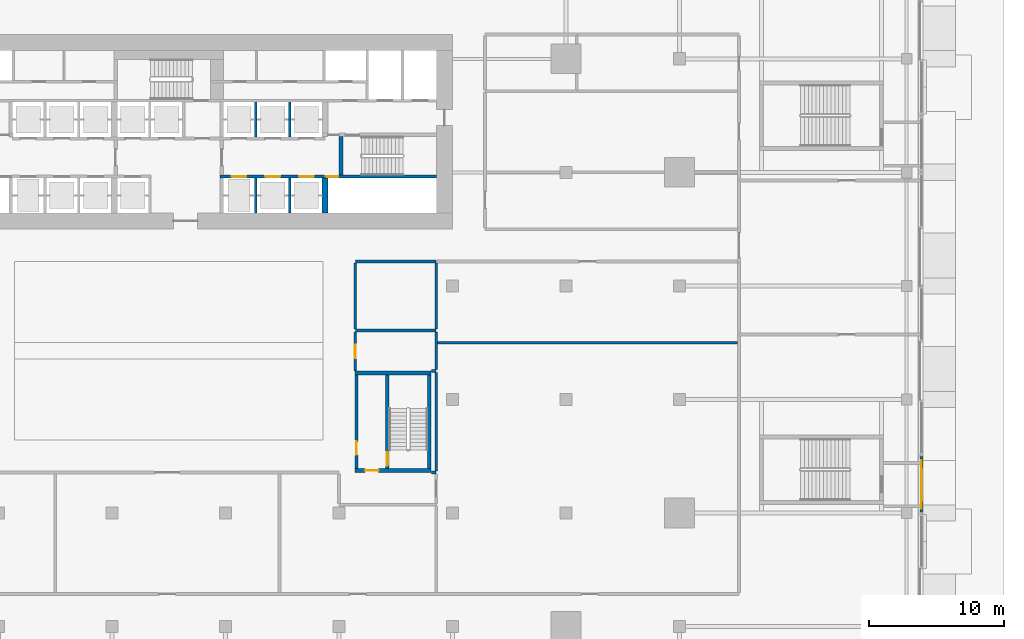
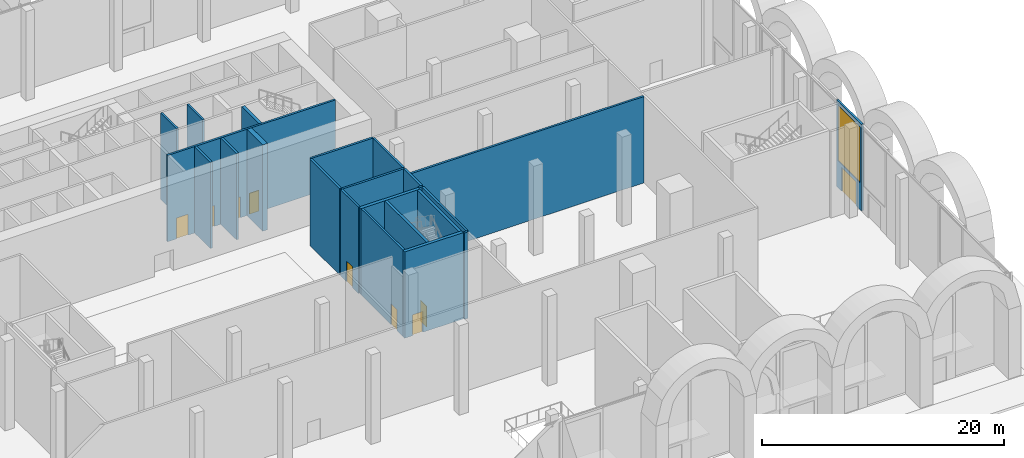
# One storey, part 25 of 43: 23 walls, 9 doors, 1 window, 10 openings.
"""IFC4 building model written with IfcOpenShell, lengths in metres."""

from ifc_helpers import new_model, si_unit, direction, frame, frame_2d, origin, place, context, subcontext, project, spatial, rectangle, extrude, material, layer, layer_set, type_object, element, fill, save


model = new_model("IFC4")

# Units and contexts
model_context = context("Model", 3, precision=1e-05, world=origin(), true_north=direction((0.0, 1.0)))
body_context = subcontext(model_context, "Body", "Model", "MODEL_VIEW")
ifc_project = project(units=[si_unit("LENGTHUNIT", "METRE"), si_unit("AREAUNIT", "SQUARE_METRE"), si_unit("VOLUMEUNIT", "CUBIC_METRE"), si_unit("PLANEANGLEUNIT", "RADIAN"), si_unit("MASSUNIT", "GRAM", prefix="KILO")], contexts=[model_context])

# Site, building, storey
site_placement = place(None, origin())
site = spatial("IfcSite", under=ifc_project, at=site_placement, CompositionType="ELEMENT")
building_placement = place(site_placement, origin())
building = spatial("IfcBuilding", under=site, at=building_placement, Name="Saffron Gate Tower", CompositionType="ELEMENT")
storey_placement = place(building_placement, origin())
storey = spatial("IfcBuildingStorey", under=building, at=storey_placement, Name="L00", CompositionType="ELEMENT", Elevation=0.0)

# Wall, opening, door
ifc_material_1 = material(Name="Gypsum board partition on steel studs", Category="steel")
ifc_layer_1 = layer(ifc_material_1, 0.199951171875)
ifc_layer_set_1 = layer_set([ifc_layer_1], Name="CW10 Core partition 200")
wall_type_1 = type_object("IfcWallType", Name="CW10 Core partition 200", PredefinedType="PARTITIONING", material=ifc_layer_set_1)
wall_1_placement = place(storey_placement, frame((101.5, 43.5, 0.0), z_axis=(0.0, 0.0, 1.0), x_axis=(0.0, 1.0, 0.0)))
wall_1 = element("IfcWall", 1, at=wall_1_placement, inside=storey, type_object=wall_type_1, Name="Wall CW10-L00-E-2", PredefinedType="PARTITIONING", context=body_context, shape_type="SweptSolid", body=[
    extrude(rectangle(XDim=6.89990234375, YDim=0.199951171875, at=frame_2d((3.449951171875, 0.0))), origin(), (0.0, 0.0, 1.0), 8.699951171875),
])
opening_1_placement = place(wall_1_placement, frame((1.0, 0.0, 0.0)))
opening_1 = element("IfcOpeningElement", 2, at=opening_1_placement, cuts=wall_1, Name="Opening CR-22", PredefinedType="OPENING", context=body_context, shape_type="SweptSolid", body=[
    extrude(rectangle(XDim=1.0, YDim=2.10009765625, at=frame_2d((0.5, 1.050048828125))), frame((0.0, 0.10986328125, 0.0), z_axis=(0.0, -1.0, 0.0), x_axis=(1.0, 0.0, 0.0)), (0.0, 0.0, 1.0), 0.219970703125),
])
ifc_material_2 = material(Name="Steel fire door set", Category="steel")
door_type_1 = type_object("IfcDoorType", Name="CD4 Lobby door 1000x2100 EI 120", OperationType="NOTDEFINED", PredefinedType="DOOR", material=ifc_material_2)
door_1_placement = place(opening_1_placement, origin())
door_1 = element("IfcDoor", 3, at=door_1_placement, inside=storey, type_object=door_type_1, Name="DOOR CR-22", OperationType="SINGLE_SWING_LEFT", OverallHeight=2.10009765625, OverallWidth=1.0, PredefinedType="DOOR", context=body_context, shape_type="SweptSolid", body=[
    extrude(rectangle(XDim=1.0, YDim=2.10009765625, at=frame_2d((0.5, 1.050048828125))), frame((0.0, 0.02490234375, 0.0), z_axis=(0.0, -1.0, 0.0), x_axis=(1.0, 0.0, 0.0)), (0.0, 0.0, 1.0), 0.050048828125),
])
fill(opening_1, door_1)

ifc_material_3 = material(Name="Concrete C70", Category="concrete")
ifc_layer_2 = layer(ifc_material_3, 0.25)
ifc_layer_set_2 = layer_set([ifc_layer_2], Name="CW2 RC core wall 250 C70")
wall_type_2 = type_object("IfcWallType", Name="CW2 RC core wall 250 C70", PredefinedType="SOLIDWALL", material=ifc_layer_set_2)
wall_2_placement = place(storey_placement, frame((103.77490234375, 43.5, 0.0), z_axis=(0.0, 0.0, 1.0), x_axis=(0.0, 1.0, 0.0)))
wall_2 = element("IfcWall", 4, at=wall_2_placement, inside=storey, type_object=wall_type_2, Name="Wall CW2-L00-E-3", PredefinedType="SOLIDWALL", context=body_context, shape_type="SweptSolid", body=[
    extrude(rectangle(XDim=6.89990234375, YDim=0.25, at=frame_2d((3.449951171875, 0.0))), origin(), (0.0, 0.0, 1.0), 8.699951171875),
])
opening_2_placement = place(wall_2_placement, frame((0.199951171875, 0.0, 0.0)))
opening_2 = element("IfcOpeningElement", 5, at=opening_2_placement, cuts=wall_2, Name="Opening CR-23", PredefinedType="OPENING", context=body_context, shape_type="SweptSolid", body=[
    extrude(rectangle(XDim=1.0, YDim=2.10009765625, at=frame_2d((0.5, 1.050048828125))), frame((0.0, 0.135009765625, 0.0), z_axis=(0.0, -1.0, 0.0), x_axis=(1.0, 0.0, 0.0)), (0.0, 0.0, 1.0), 0.27001953125),
])
door_type_2 = type_object("IfcDoorType", Name="CD5 Stair door 1000x2100 EI 120", OperationType="NOTDEFINED", PredefinedType="DOOR", material=ifc_material_2)
door_2_placement = place(opening_2_placement, origin())
door_2 = element("IfcDoor", 6, at=door_2_placement, inside=storey, type_object=door_type_2, Name="DOOR CR-23", OperationType="SINGLE_SWING_RIGHT", OverallHeight=2.10009765625, OverallWidth=1.0, PredefinedType="DOOR", context=body_context, shape_type="SweptSolid", body=[
    extrude(rectangle(XDim=1.0, YDim=2.10009765625, at=frame_2d((0.5, 1.050048828125))), frame((0.0, 0.02490234375, 0.0), z_axis=(0.0, -1.0, 0.0), x_axis=(1.0, 0.0, 0.0)), (0.0, 0.0, 1.0), 0.050048828125),
])
fill(opening_2, door_2)

# Walls
wall_3_placement = place(storey_placement, frame((106.875, 43.5, 0.0), z_axis=(0.0, 0.0, 1.0), x_axis=(0.0, 1.0, 0.0)))
element("IfcWall", 7, at=wall_3_placement, inside=storey, type_object=wall_type_2, Name="Wall CW2-L00-E-4", PredefinedType="SOLIDWALL", context=body_context, shape_type="SweptSolid", body=[
    extrude(rectangle(XDim=6.89990234375, YDim=0.25, at=frame_2d((3.449951171875, 0.0))), origin(), (0.0, 0.0, 1.0), 8.699951171875),
])
ifc_layer_3 = layer(ifc_material_3, 0.199951171875)
ifc_layer_set_3 = layer_set([ifc_layer_3], Name="CW3 RC core wall 200 C70")
wall_type_3 = type_object("IfcWallType", Name="CW3 RC core wall 200 C70", PredefinedType="SOLIDWALL", material=ifc_layer_set_3)
for number, where, z_axis, x_axis, name in (
    (8, (94.050048828125, 62.39990234375, 0.0), (0.0, 0.0, 1.0), (0.0, 1.0, 0.0), "Wall CW3-L00-11"),
    (9, (96.550048828125, 62.39990234375, 0.0), (0.0, 0.0, 1.0), (0.0, 1.0, 0.0), "Wall CW3-L00-12"),
):
    element("IfcWall", number, at=place(storey_placement, frame(where, z_axis=z_axis, x_axis=x_axis)), inside=storey, type_object=wall_type_3, Name=name, PredefinedType="SOLIDWALL", context=body_context, shape_type="SweptSolid", body=[
        extrude(rectangle(XDim=2.60009765625, YDim=0.199951171875, at=frame_2d((1.300048828125, 0.0))), origin(), (0.0, 0.0, 1.0), 8.699951171875),
    ])

# Wall, openings, doors
wall_4_placement = place(storey_placement, frame((91.39990234375, 65.10009765625, 0.0), z_axis=(0.0, 0.0, 1.0), x_axis=(1.0, 0.0, 0.0)))
wall_4 = element("IfcWall", 10, at=wall_4_placement, inside=storey, type_object=wall_type_3, Name="Wall CW3-L00-15", PredefinedType="SOLIDWALL", context=body_context, shape_type="SweptSolid", body=[
    extrude(rectangle(XDim=16.0, YDim=0.199951171875, at=frame_2d((8.0, 0.0))), origin(), (0.0, 0.0, 1.0), 8.699951171875),
])
opening_3_placement = place(wall_4_placement, frame((0.85009765625, 0.0, 0.0)))
opening_3 = element("IfcOpeningElement", 11, at=opening_3_placement, cuts=wall_4, Name="Opening LD-HR1", PredefinedType="OPENING", context=body_context, shape_type="SweptSolid", body=[
    extrude(rectangle(XDim=1.10009765625, YDim=2.10009765625, at=frame_2d((0.550048828125, 1.050048828125))), frame((0.0, 0.10986328125, 0.0), z_axis=(0.0, -1.0, 0.0), x_axis=(1.0, 0.0, 0.0)), (0.0, 0.0, 1.0), 0.219970703125),
])
opening_4_placement = place(wall_4_placement, frame((3.35009765625, 0.0, 0.0)))
opening_4 = element("IfcOpeningElement", 12, at=opening_4_placement, cuts=wall_4, Name="Opening LD-HR2", PredefinedType="OPENING", context=body_context, shape_type="SweptSolid", body=[
    extrude(rectangle(XDim=1.10009765625, YDim=2.10009765625, at=frame_2d((0.550048828125, 1.050048828125))), frame((0.0, 0.10986328125, 0.0), z_axis=(0.0, -1.0, 0.0), x_axis=(1.0, 0.0, 0.0)), (0.0, 0.0, 1.0), 0.219970703125),
])
opening_5_placement = place(wall_4_placement, frame((5.85009765625, 0.0, 0.0)))
opening_5 = element("IfcOpeningElement", 13, at=opening_5_placement, cuts=wall_4, Name="Opening LD-HR3", PredefinedType="OPENING", context=body_context, shape_type="SweptSolid", body=[
    extrude(rectangle(XDim=1.10009765625, YDim=2.10009765625, at=frame_2d((0.550048828125, 1.050048828125))), frame((0.0, 0.10986328125, 0.0), z_axis=(0.0, -1.0, 0.0), x_axis=(1.0, 0.0, 0.0)), (0.0, 0.0, 1.0), 0.219970703125),
])
opening_6_placement = place(wall_4_placement, frame((7.830078125, 0.0, 0.0)))
opening_6 = element("IfcOpeningElement", 14, at=opening_6_placement, cuts=wall_4, Name="Opening CR-48", PredefinedType="OPENING", context=body_context, shape_type="SweptSolid", body=[
    extrude(rectangle(XDim=0.89990234375, YDim=2.10009765625, at=frame_2d((0.449951171875, 1.050048828125))), frame((0.0, 0.10986328125, 0.0), z_axis=(0.0, -1.0, 0.0), x_axis=(1.0, 0.0, 0.0)), (0.0, 0.0, 1.0), 0.219970703125),
])
door_type_3 = type_object("IfcDoorType", Name="CD2 Riser door 900x2100 EI 60", OperationType="NOTDEFINED", PredefinedType="DOOR", material=ifc_material_2)
door_3_placement = place(opening_6_placement, origin())
door_3 = element("IfcDoor", 15, at=door_3_placement, inside=storey, type_object=door_type_3, Name="DOOR CR-48", OperationType="SINGLE_SWING_RIGHT", OverallHeight=2.10009765625, OverallWidth=0.89990234375, PredefinedType="DOOR", context=body_context, shape_type="SweptSolid", body=[
    extrude(rectangle(XDim=0.89990234375, YDim=2.10009765625, at=frame_2d((0.449951171875, 1.050048828125))), frame((0.0, 0.02490234375, 0.0), z_axis=(0.0, -1.0, 0.0), x_axis=(1.0, 0.0, 0.0)), (0.0, 0.0, 1.0), 0.050048828125),
])
fill(opening_6, door_3)
ifc_material_4 = material(Name="Stainless steel landing door", Category="steel")
door_type_4 = type_object("IfcDoorType", Name="LD Lift landing door 1100x2100 EI 120", OperationType="SLIDING_TO_LEFT", PredefinedType="DOOR", material=ifc_material_4)
door_4_placement = place(opening_3_placement, origin())
door_4 = element("IfcDoor", 16, at=door_4_placement, inside=storey, type_object=door_type_4, Name="LANDING DOOR LD-HR1", OperationType="SLIDING_TO_LEFT", OverallHeight=2.10009765625, OverallWidth=1.10009765625, PredefinedType="DOOR", context=body_context, shape_type="SweptSolid", body=[
    extrude(rectangle(XDim=1.10009765625, YDim=2.10009765625, at=frame_2d((0.550048828125, 1.050048828125))), frame((0.0, 0.02490234375, 0.0), z_axis=(0.0, -1.0, 0.0), x_axis=(1.0, 0.0, 0.0)), (0.0, 0.0, 1.0), 0.050048828125),
])
fill(opening_3, door_4)
door_5_placement = place(opening_4_placement, origin())
door_5 = element("IfcDoor", 17, at=door_5_placement, inside=storey, type_object=door_type_4, Name="LANDING DOOR LD-HR2", OperationType="SLIDING_TO_LEFT", OverallHeight=2.10009765625, OverallWidth=1.10009765625, PredefinedType="DOOR", context=body_context, shape_type="SweptSolid", body=[
    extrude(rectangle(XDim=1.10009765625, YDim=2.10009765625, at=frame_2d((0.550048828125, 1.050048828125))), frame((0.0, 0.02490234375, 0.0), z_axis=(0.0, -1.0, 0.0), x_axis=(1.0, 0.0, 0.0)), (0.0, 0.0, 1.0), 0.050048828125),
])
fill(opening_4, door_5)
door_6_placement = place(opening_5_placement, origin())
door_6 = element("IfcDoor", 18, at=door_6_placement, inside=storey, type_object=door_type_4, Name="LANDING DOOR LD-HR3", OperationType="SLIDING_TO_LEFT", OverallHeight=2.10009765625, OverallWidth=1.10009765625, PredefinedType="DOOR", context=body_context, shape_type="SweptSolid", body=[
    extrude(rectangle(XDim=1.10009765625, YDim=2.10009765625, at=frame_2d((0.550048828125, 1.050048828125))), frame((0.0, 0.02490234375, 0.0), z_axis=(0.0, -1.0, 0.0), x_axis=(1.0, 0.0, 0.0)), (0.0, 0.0, 1.0), 0.050048828125),
])
fill(opening_5, door_6)

# Walls
for number, where, z_axis, x_axis, name in (
    (19, (94.050048828125, 68.0, 0.0), (0.0, 0.0, 1.0), (0.0, 1.0, 0.0), "Wall CW3-L00-27"),
    (20, (96.550048828125, 68.0, 0.0), (0.0, 0.0, 1.0), (0.0, 1.0, 0.0), "Wall CW3-L00-28"),
):
    element("IfcWall", number, at=place(storey_placement, frame(where, z_axis=z_axis, x_axis=x_axis)), inside=storey, type_object=wall_type_3, Name=name, PredefinedType="SOLIDWALL", context=body_context, shape_type="SweptSolid", body=[
        extrude(rectangle(XDim=2.60009765625, YDim=0.199951171875, at=frame_2d((1.300048828125, 0.0))), origin(), (0.0, 0.0, 1.0), 8.699951171875),
    ])
ifc_layer_4 = layer(ifc_material_3, 0.449951171875)
ifc_layer_set_4 = layer_set([ifc_layer_4], Name="CW4 RC core wall 450 C70")
wall_type_4 = type_object("IfcWallType", Name="CW4 RC core wall 450 C70", PredefinedType="SOLIDWALL", material=ifc_layer_set_4)
wall_5_placement = place(storey_placement, frame((99.175048828125, 62.39990234375, 0.0), z_axis=(0.0, 0.0, 1.0), x_axis=(0.0, 1.0, 0.0)))
element("IfcWall", 21, at=wall_5_placement, inside=storey, type_object=wall_type_4, Name="Wall CW4-L00-13", PredefinedType="SOLIDWALL", context=body_context, shape_type="SweptSolid", body=[
    extrude(rectangle(XDim=2.60009765625, YDim=0.449951171875, at=frame_2d((1.300048828125, 0.0))), origin(), (0.0, 0.0, 1.0), 8.699951171875),
])
ifc_layer_5 = layer(ifc_material_3, 0.300048828125)
ifc_layer_set_5 = layer_set([ifc_layer_5], Name="CW5 RC core wall 300 C70")
wall_type_5 = type_object("IfcWallType", Name="CW5 RC core wall 300 C70", PredefinedType="SOLIDWALL", material=ifc_layer_set_5)
wall_6_placement = place(storey_placement, frame((100.35009765625, 65.199951171875, 0.0), z_axis=(0.0, 0.0, 1.0), x_axis=(0.0, 1.0, 0.0)))
element("IfcWall", 22, at=wall_6_placement, inside=storey, type_object=wall_type_5, Name="Wall CW5-L00-19", PredefinedType="SOLIDWALL", context=body_context, shape_type="SweptSolid", body=[
    extrude(rectangle(XDim=2.85009765625, YDim=0.300048828125, at=frame_2d((1.425048828125, 0.0))), origin(), (0.0, 0.0, 1.0), 8.699951171875),
])

# Wall, opening, door
wall_7_placement = place(storey_placement, frame((101.39990234375, 43.35009765625, 0.0), z_axis=(0.0, 0.0, 1.0), x_axis=(1.0, 0.0, 0.0)))
wall_7 = element("IfcWall", 23, at=wall_7_placement, inside=storey, type_object=wall_type_5, Name="Wall CW5-L00-E-1", PredefinedType="SOLIDWALL", context=body_context, shape_type="SweptSolid", body=[
    extrude(rectangle(XDim=5.60009765625, YDim=0.300048828125, at=frame_2d((2.800048828125, 0.0))), origin(), (0.0, 0.0, 1.0), 8.699951171875),
])
opening_7_placement = place(wall_7_placement, frame((0.72509765625, 0.0, 0.0)))
opening_7 = element("IfcOpeningElement", 24, at=opening_7_placement, cuts=wall_7, Name="Opening CR-21", PredefinedType="OPENING", context=body_context, shape_type="SweptSolid", body=[
    extrude(rectangle(XDim=1.0, YDim=2.10009765625, at=frame_2d((0.5, 1.050048828125))), frame((0.0, 0.16015625, 0.0), z_axis=(0.0, -1.0, 0.0), x_axis=(1.0, 0.0, 0.0)), (0.0, 0.0, 1.0), 0.320068359375),
])
door_7_placement = place(opening_7_placement, origin())
door_7 = element("IfcDoor", 25, at=door_7_placement, inside=storey, type_object=door_type_1, Name="DOOR CR-21", OperationType="SINGLE_SWING_RIGHT", OverallHeight=2.10009765625, OverallWidth=1.0, PredefinedType="DOOR", context=body_context, shape_type="SweptSolid", body=[
    extrude(rectangle(XDim=1.0, YDim=2.10009765625, at=frame_2d((0.5, 1.050048828125))), frame((0.0, 0.02490234375, 0.0), z_axis=(0.0, -1.0, 0.0), x_axis=(1.0, 0.0, 0.0)), (0.0, 0.0, 1.0), 0.050048828125),
])
fill(opening_7, door_7)

# Wall
wall_8_placement = place(storey_placement, frame((101.39990234375, 50.550048828125, 0.0), z_axis=(0.0, 0.0, 1.0), x_axis=(1.0, 0.0, 0.0)))
element("IfcWall", 26, at=wall_8_placement, inside=storey, type_object=wall_type_5, Name="Wall CW5-L00-E-5", PredefinedType="SOLIDWALL", context=body_context, shape_type="SweptSolid", body=[
    extrude(rectangle(XDim=5.60009765625, YDim=0.300048828125, at=frame_2d((2.800048828125, 0.0))), origin(), (0.0, 0.0, 1.0), 8.699951171875),
])

# Wall, opening, door
ifc_material_5 = material(Name="Clay brick masonry, rendered", Category="masonry")
ifc_layer_6 = layer(ifc_material_5, 0.199951171875)
ifc_layer_set_6 = layer_set([ifc_layer_6], Name="PW3 Corridor wall 200")
wall_type_6 = type_object("IfcWallType", Name="PW3 Corridor wall 200", PredefinedType="PARTITIONING", material=ifc_layer_set_6)
wall_9_placement = place(storey_placement, frame((101.39990234375, 53.60009765625, 0.0), z_axis=(0.0, 0.0, 1.0), x_axis=(0.0, -1.0, 0.0)))
wall_9 = element("IfcWall", 27, at=wall_9_placement, inside=storey, type_object=wall_type_6, Name="Wall P0-46", PredefinedType="PARTITIONING", context=body_context, shape_type="SweptSolid", body=[
    extrude(rectangle(XDim=2.900146484375, YDim=0.199951171875, at=frame_2d((1.4501953125, 0.0))), origin(), (0.0, 0.0, 1.0), 8.699951171875),
])
opening_8_placement = place(wall_9_placement, frame((0.949951171875, 0.0, 0.0)))
opening_8 = element("IfcOpeningElement", 28, at=opening_8_placement, cuts=wall_9, Name="Opening P0-3", PredefinedType="OPENING", context=body_context, shape_type="SweptSolid", body=[
    extrude(rectangle(XDim=1.0, YDim=2.10009765625, at=frame_2d((0.5, 1.050048828125))), frame((0.0, 0.10986328125, 0.0), z_axis=(0.0, -1.0, 0.0), x_axis=(1.0, 0.0, 0.0)), (0.0, 0.0, 1.0), 0.219970703125),
])
ifc_material_6 = material(Name="Timber door set", Category="wood")
door_type_5 = type_object("IfcDoorType", Name="RD1 Room door 900x2100", OperationType="NOTDEFINED", PredefinedType="DOOR", material=ifc_material_6)
door_8_placement = place(opening_8_placement, origin())
door_8 = element("IfcDoor", 29, at=door_8_placement, inside=storey, type_object=door_type_5, Name="Door P0-3", OperationType="SINGLE_SWING_RIGHT", OverallHeight=2.10009765625, OverallWidth=1.0, PredefinedType="DOOR", context=body_context, shape_type="SweptSolid", body=[
    extrude(rectangle(XDim=1.0, YDim=2.10009765625, at=frame_2d((0.5, 1.050048828125))), frame((0.0, 0.02490234375, 0.0), z_axis=(0.0, -1.0, 0.0), x_axis=(1.0, 0.0, 0.0)), (0.0, 0.0, 1.0), 0.050048828125),
])
fill(opening_8, door_8)

# Walls
ifc_layer_7 = layer(ifc_material_5, 0.199951171875)
ifc_layer_set_7 = layer_set([ifc_layer_7], Name="PW5 Room wall 200")
wall_type_7 = type_object("IfcWallType", Name="PW5 Room wall 200", PredefinedType="PARTITIONING", material=ifc_layer_set_7)
for number, where, z_axis, x_axis, name in (
    (30, (107.050048828125, 43.199951171875, 0.0), (0.0, 0.0, 1.0), (1.0, 0.0, 0.0), "Wall P0-6"),
    (31, (107.050048828125, 50.699951171875, 0.0), (0.0, 0.0, 1.0), (1.0, 0.0, 0.0), "Wall P0-8"),
):
    element("IfcWall", number, at=place(storey_placement, frame(where, z_axis=z_axis, x_axis=x_axis)), inside=storey, type_object=wall_type_7, Name=name, PredefinedType="PARTITIONING", context=body_context, shape_type="SweptSolid", body=[
        extrude(rectangle(XDim=0.329833984375, YDim=0.199951171875, at=frame_2d((0.1650390625, 0.0))), origin(), (0.0, 0.0, 1.0), 8.699951171875),
    ])
wall_10_placement = place(storey_placement, frame((107.5, 52.800048828125, 0.0), z_axis=(0.0, 0.0, 1.0), x_axis=(1.0, 0.0, 0.0)))
element("IfcWall", 32, at=wall_10_placement, inside=storey, type_object=wall_type_7, Name="Wall P0-10", PredefinedType="PARTITIONING", context=body_context, shape_type="SweptSolid", body=[
    extrude(rectangle(XDim=22.199951171875, YDim=0.199951171875, at=frame_2d((11.10009765625, 0.0))), origin(), (0.0, 0.0, 1.0), 8.699951171875),
])
for number, where, z_axis, x_axis, name in (
    (33, (101.419921875, 53.699951171875, 0.0), (0.0, 0.0, 1.0), (1.0, 0.0, 0.0), "Wall P0-11"),
    (34, (101.419921875, 58.800048828125, 0.0), (0.0, 0.0, 1.0), (1.0, 0.0, 0.0), "Wall P0-14"),
):
    element("IfcWall", number, at=place(storey_placement, frame(where, z_axis=z_axis, x_axis=x_axis)), inside=storey, type_object=wall_type_7, Name=name, PredefinedType="PARTITIONING", context=body_context, shape_type="SweptSolid", body=[
        extrude(rectangle(XDim=5.9599609375, YDim=0.199951171875, at=frame_2d((2.97998046875, 0.0))), origin(), (0.0, 0.0, 1.0), 8.699951171875),
    ])
wall_11_placement = place(storey_placement, frame((101.39990234375, 58.699951171875, 0.0), z_axis=(0.0, 0.0, 1.0), x_axis=(0.0, -1.0, 0.0)))
element("IfcWall", 35, at=wall_11_placement, inside=storey, type_object=wall_type_7, Name="Wall P0-47", PredefinedType="PARTITIONING", context=body_context, shape_type="SweptSolid", body=[
    extrude(rectangle(XDim=4.89990234375, YDim=0.199951171875, at=frame_2d((2.449951171875, 0.0))), origin(), (0.0, 0.0, 1.0), 8.699951171875),
])
wall_12_placement = place(storey_placement, frame((107.39990234375, 50.60009765625, 0.0), z_axis=(0.0, 0.0, 1.0), x_axis=(0.0, -1.0, 0.0)))
element("IfcWall", 36, at=wall_12_placement, inside=storey, type_object=wall_type_7, Name="Wall P0-49", PredefinedType="PARTITIONING", context=body_context, shape_type="SweptSolid", body=[
    extrude(rectangle(XDim=7.300048828125, YDim=0.199951171875, at=frame_2d((3.64990234375, 0.0))), origin(), (0.0, 0.0, 1.0), 8.699951171875),
])
wall_13_placement = place(storey_placement, frame((107.39990234375, 58.699951171875, 0.0), z_axis=(0.0, 0.0, 1.0), x_axis=(0.0, -1.0, 0.0)))
element("IfcWall", 37, at=wall_13_placement, inside=storey, type_object=wall_type_7, Name="Wall P0-50", PredefinedType="PARTITIONING", context=body_context, shape_type="SweptSolid", body=[
    extrude(rectangle(XDim=4.89990234375, YDim=0.199951171875, at=frame_2d((2.449951171875, 0.0))), origin(), (0.0, 0.0, 1.0), 8.699951171875),
])
wall_14_placement = place(storey_placement, frame((107.39990234375, 53.60009765625, 0.0), z_axis=(0.0, 0.0, 1.0), x_axis=(0.0, -1.0, 0.0)))
element("IfcWall", 38, at=wall_14_placement, inside=storey, type_object=wall_type_7, Name="Wall P0-52", PredefinedType="PARTITIONING", context=body_context, shape_type="SweptSolid", body=[
    extrude(rectangle(XDim=2.800048828125, YDim=0.199951171875, at=frame_2d((1.39990234375, 0.0))), origin(), (0.0, 0.0, 1.0), 8.699951171875),
])

# Wall, openings, window, door
ifc_material_7 = material(Name="Reinforced concrete C40/50 clad in bronze panels", Category="concrete")
ifc_layer_8 = layer(ifc_material_7, 0.199951171875)
ifc_layer_set_8 = layer_set([ifc_layer_8], Name="WBAY1 entrance bay wall")
wall_type_8 = type_object("IfcWallType", Name="WBAY1 entrance bay wall", PredefinedType="SOLIDWALL", material=ifc_layer_set_8)
wall_15_placement = place(storey_placement, frame((143.300048828125, 44.360107421875, 0.0), z_axis=(0.0, 0.0, 1.0), x_axis=(0.0, -1.0, 0.0)))
wall_15 = element("IfcWall", 39, at=wall_15_placement, inside=storey, type_object=wall_type_8, Name="ENTRANCE BAY wall", PredefinedType="SOLIDWALL", context=body_context, shape_type="SweptSolid", body=[
    extrude(rectangle(XDim=4.1201171875, YDim=0.199951171875, at=frame_2d((2.06005859375, 0.0))), origin(), (0.0, 0.0, 1.0), 8.699951171875),
])
opening_9_placement = place(wall_15_placement, frame((0.860107421875, 0.0, 0.0)))
opening_9 = element("IfcOpeningElement", 40, at=opening_9_placement, cuts=wall_15, Name="Opening E34", PredefinedType="OPENING", context=body_context, shape_type="SweptSolid", body=[
    extrude(rectangle(XDim=2.39990234375, YDim=2.39990234375, at=frame_2d((1.199951171875, 1.199951171875))), frame((0.0, 0.10986328125, 0.0), z_axis=(0.0, -1.0, 0.0), x_axis=(1.0, 0.0, 0.0)), (0.0, 0.0, 1.0), 0.219970703125),
])
opening_10_placement = place(wall_15_placement, frame((0.260009765625, 0.0, 2.699951171875)))
opening_10 = element("IfcOpeningElement", 41, at=opening_10_placement, cuts=wall_15, Name="Opening W9", PredefinedType="OPENING", context=body_context, shape_type="SweptSolid", body=[
    extrude(rectangle(XDim=3.60009765625, YDim=5.60009765625, at=frame_2d((1.800048828125, 2.800048828125))), frame((0.0, 0.10986328125, 0.0), z_axis=(0.0, -1.0, 0.0), x_axis=(1.0, 0.0, 0.0)), (0.0, 0.0, 1.0), 0.219970703125),
])
ifc_material_8 = material(Name="Clear low-iron laminated glass in bronze frame", Category="glass")
ifc_layer_9 = layer(ifc_material_8, 0.06005859375)
ifc_layer_set_9 = layer_set([ifc_layer_9], Name="W9 entrance light")
window_type = type_object("IfcWindowType", Name="W9 entrance light", PartitioningType="SINGLE_PANEL", PredefinedType="WINDOW", material=ifc_layer_set_9)
window_placement = place(opening_10_placement, origin())
window = element("IfcWindow", 42, at=window_placement, inside=storey, type_object=window_type, Name="W9 entrance light", OverallHeight=5.60009765625, OverallWidth=3.60009765625, PartitioningType="SINGLE_PANEL", PredefinedType="WINDOW", context=body_context, shape_type="SweptSolid", body=[
    extrude(rectangle(XDim=3.60009765625, YDim=5.60009765625, at=frame_2d((1.800048828125, 2.800048828125))), frame((0.0, 0.030029296875, 0.0), z_axis=(0.0, -1.0, 0.0), x_axis=(1.0, 0.0, 0.0)), (0.0, 0.0, 1.0), 0.06005859375),
])
fill(opening_10, window)
ifc_material_9 = material(Name="Bronze-framed toughened glass", Category="glass")
ifc_layer_10 = layer(ifc_material_9, 0.050048828125)
ifc_layer_set_10 = layer_set([ifc_layer_10], Name="X1 exit double door 2400x2400")
door_type_6 = type_object("IfcDoorType", Name="X1 exit double door 2400x2400", OperationType="DOUBLE_DOOR_SINGLE_SWING", PredefinedType="DOOR", material=ifc_layer_set_10)
door_9_placement = place(opening_9_placement, origin())
door_9 = element("IfcDoor", 43, at=door_9_placement, inside=storey, type_object=door_type_6, Name="EXIT E34", OperationType="DOUBLE_DOOR_SINGLE_SWING", OverallHeight=2.39990234375, OverallWidth=2.39990234375, PredefinedType="DOOR", context=body_context, shape_type="SweptSolid", body=[
    extrude(rectangle(XDim=2.39990234375, YDim=2.39990234375, at=frame_2d((1.199951171875, 1.199951171875))), frame((0.0, 0.02490234375, 0.0), z_axis=(0.0, -1.0, 0.0), x_axis=(1.0, 0.0, 0.0)), (0.0, 0.0, 1.0), 0.050048828125),
])
fill(opening_9, door_9)

save(model, "model.ifc")
